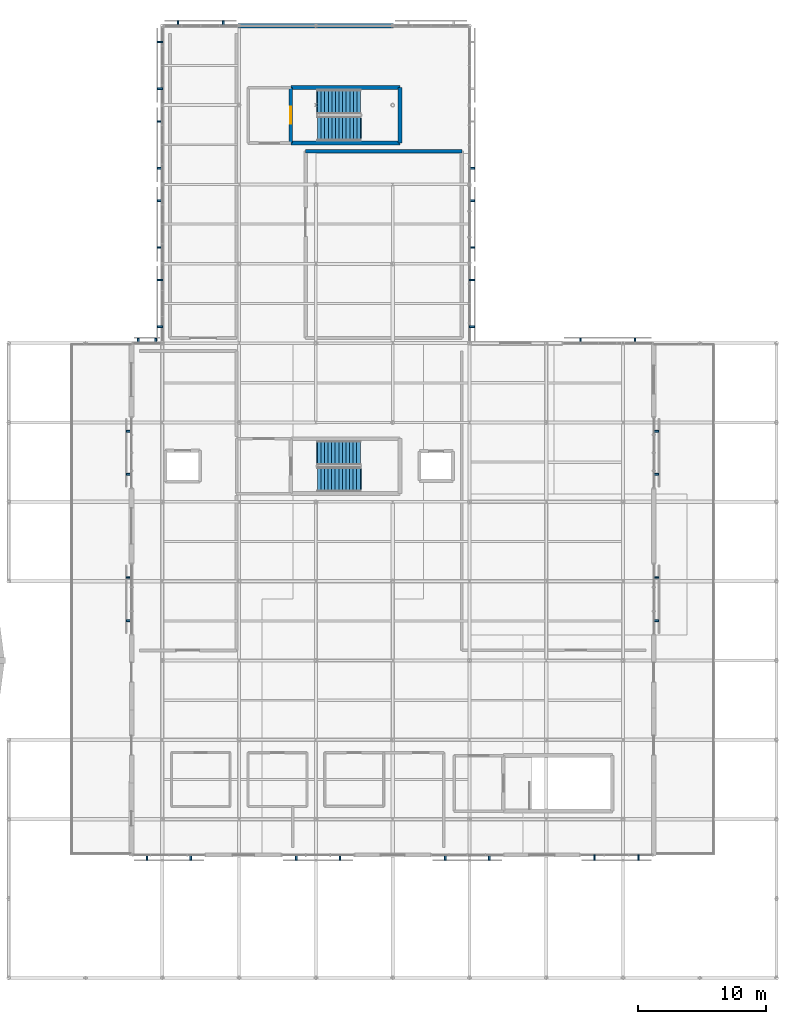
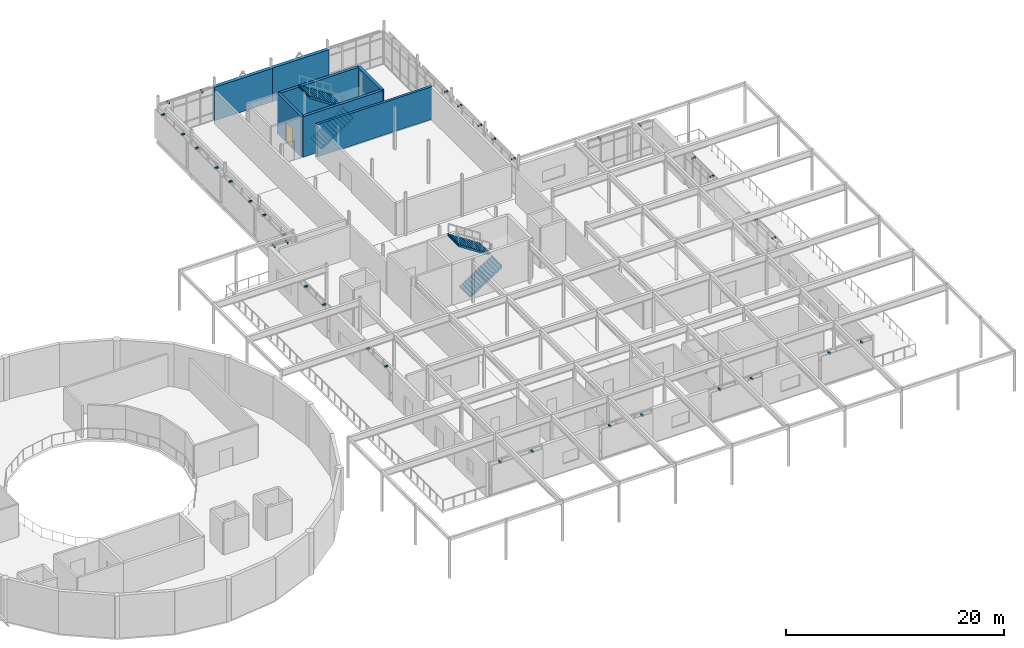
# One storey, part 43 of 48: 35 discrete accessories, 7 walls, 4 stair flights, 1 door, 1 opening, 2 elements without a shape of their own.
"""IFC4 building model written with IfcOpenShell, lengths in metres."""

from ifc_helpers import new_model, si_unit, direction, frame, frame_2d, origin, origin_2d, place, context, subcontext, project, spatial, polyline, rectangle, outline, extrude, material, layer, layer_set, type_object, element, fill, aggregate, save


model = new_model("IFC4")

# Units and contexts
model_context = context("Model", 3, precision=1e-05, world=origin(), true_north=direction((0.0, 1.0)))
body_context = subcontext(model_context, "Body", "Model", "MODEL_VIEW")
ifc_project = project(units=[si_unit("LENGTHUNIT", "METRE"), si_unit("AREAUNIT", "SQUARE_METRE"), si_unit("VOLUMEUNIT", "CUBIC_METRE"), si_unit("PLANEANGLEUNIT", "RADIAN"), si_unit("MASSUNIT", "GRAM", prefix="KILO")], contexts=[model_context])

# Site, building, storey
site_placement = place(None, origin())
site = spatial("IfcSite", under=ifc_project, at=site_placement, CompositionType="ELEMENT")
building_placement = place(site_placement, origin())
building = spatial("IfcBuilding", under=site, at=building_placement, Name="Mirzam Square Science Centre", CompositionType="ELEMENT")
storey_placement = place(building_placement, frame((0.0, 0.0, 20.39990234375)))
storey = spatial("IfcBuildingStorey", under=building, at=storey_placement, Name="L04", CompositionType="ELEMENT", Elevation=20.39990234375)

# Walls
ifc_material_1 = material(Name="Concrete C45/55", Category="concrete")
ifc_layer_1 = layer(ifc_material_1, 0.300048828125)
ifc_layer_set_1 = layer_set([ifc_layer_1], Name="W-CORE-300")
wall_type_1 = type_object("IfcWallType", Name="W-CORE-300", PredefinedType="SHEAR", material=ifc_layer_set_1)
for number, where, z_axis, x_axis, name in (
    (1, (124.0400390625, 102.43994140625, 0.0), (0.0, 0.0, 1.0), (1.0, 0.0, 0.0), "L04 CORE-7 south wall"),
    (2, (132.56005859375, 106.77001953125, 0.0), (0.0, 0.0, 1.0), (-1.0, 0.0, 0.0), "L04 CORE-7 north wall"),
):
    element("IfcWall", number, at=place(storey_placement, frame(where, z_axis=z_axis, x_axis=x_axis)), inside=storey, type_object=wall_type_1, Name=name, PredefinedType="SHEAR", context=body_context, shape_type="SweptSolid", body=[
        extrude(rectangle(XDim=8.52001953125, YDim=0.300048828125, at=frame_2d((4.260009765625, 0.0))), origin(), (0.0, 0.0, 1.0), 4.550048828125),
    ])

# Wall, opening, door
wall_1_placement = place(storey_placement, frame((124.0400390625, 106.77001953125, 0.0), z_axis=(0.0, 0.0, 1.0), x_axis=(0.0, -1.0, 0.0)))
wall_1 = element("IfcWall", 3, at=wall_1_placement, inside=storey, type_object=wall_type_1, Name="L04 CORE-7 west wall", PredefinedType="SHEAR", context=body_context, shape_type="SweptSolid", body=[
    extrude(rectangle(XDim=4.330078125, YDim=0.300048828125, at=frame_2d((2.1650390625, 0.0))), origin(), (0.0, 0.0, 1.0), 4.550048828125),
])
opening_placement = place(wall_1_placement, frame((1.489990234375, 0.0, 0.0)))
opening = element("IfcOpeningElement", 4, at=opening_placement, cuts=wall_1, Name="Opening DS-01", PredefinedType="OPENING", context=body_context, shape_type="SweptSolid", body=[
    extrude(rectangle(XDim=1.35009765625, YDim=2.199951171875, at=frame_2d((0.675048828125, 1.10009765625))), frame((0.0, 0.159912109375, 0.0), z_axis=(0.0, -1.0, 0.0), x_axis=(1.0, 0.0, 0.0)), (0.0, 0.0, 1.0), 0.320068359375),
])
ifc_material_2 = material(Name="Fire-Rated Powder-Coated Architectural Steel Door", Category="steel")
door_type = type_object("IfcDoorType", Name="DR-STAIR-1350x2200", OperationType="NOTDEFINED", PredefinedType="DOOR", material=ifc_material_2)
door_placement = place(opening_placement, origin())
door = element("IfcDoor", 5, at=door_placement, inside=storey, type_object=door_type, Name="DRS-7-L04", OperationType="SINGLE_SWING_LEFT", OverallHeight=2.199951171875, OverallWidth=1.35009765625, PredefinedType="DOOR", context=body_context, shape_type="SweptSolid", body=[
    extrude(rectangle(XDim=1.35009765625, YDim=2.199951171875, at=frame_2d((0.675048828125, 1.10009765625))), frame((0.0, 0.02490234375, 0.0), z_axis=(0.0, -1.0, 0.0), x_axis=(1.0, 0.0, 0.0)), (0.0, 0.0, 1.0), 0.050048828125),
])
fill(opening, door)

# Walls
wall_2_placement = place(storey_placement, frame((132.56005859375, 102.43994140625, 0.0), z_axis=(0.0, 0.0, 1.0), x_axis=(0.0, 1.0, 0.0)))
element("IfcWall", 6, at=wall_2_placement, inside=storey, type_object=wall_type_1, Name="L04 CORE-7 east wall", PredefinedType="SHEAR", context=body_context, shape_type="SweptSolid", body=[
    extrude(rectangle(XDim=4.330078125, YDim=0.300048828125, at=frame_2d((2.1650390625, 0.0))), origin(), (0.0, 0.0, 1.0), 4.550048828125),
])
ifc_material_3 = material(Name="Standing-Seam Zinc-Clad Concrete Backup C40/50", Category="concrete")
ifc_layer_2 = layer(ifc_material_3, 0.35009765625)
ifc_layer_set_2 = layer_set([ifc_layer_2], Name="W-EXT-METAL-350")
wall_type_2 = type_object("IfcWallType", Name="W-EXT-METAL-350", PredefinedType="SOLIDWALL", material=ifc_layer_set_2)
for number, where, z_axis, x_axis, name in (
    (7, (126.074951171875, 111.60009765625, 0.0), (0.0, 0.0, 1.0), (-1.0, 0.0, 0.0), "L04 external wall EW-NEP-N-L04-21"),
    (8, (132.074951171875, 111.60009765625, 0.0), (0.0, 0.0, 1.0), (-1.0, 0.0, 0.0), "L04 external wall EW-NEP-N-L04-22"),
):
    element("IfcWall", number, at=place(storey_placement, frame(where, z_axis=z_axis, x_axis=x_axis)), inside=storey, type_object=wall_type_2, Name=name, PredefinedType="SOLIDWALL", context=body_context, shape_type="SweptSolid", body=[
        extrude(rectangle(XDim=6.14990234375, YDim=0.35009765625, at=frame_2d((3.074951171875, 0.0))), origin(), (0.0, 0.0, 1.0), 3.760009765625),
    ])
ifc_material_4 = material(Name="Theatre Acoustic Isolation Wall Concrete C35/45", Category="concrete")
ifc_layer_3 = layer(ifc_material_4, 0.260009765625)
ifc_layer_set_3 = layer_set([ifc_layer_3], Name="W-PART-260")
wall_type_3 = type_object("IfcWallType", Name="W-PART-260", PredefinedType="PARTITIONING", material=ifc_layer_set_3)
wall_3_placement = place(storey_placement, frame((125.199951171875, 101.800048828125, 0.0), z_axis=(0.0, 0.0, 1.0), x_axis=(1.0, 0.0, 0.0)))
element("IfcWall", 9, at=wall_3_placement, inside=storey, type_object=wall_type_3, Name="L04 Astrophysics Digital Periodicals Archive partition 297", PredefinedType="PARTITIONING", context=body_context, shape_type="SweptSolid", body=[
    extrude(rectangle(XDim=12.199951171875, YDim=0.260009765625, at=frame_2d((6.10009765625, 0.0))), origin(), (0.0, 0.0, 1.0), 3.650146484375),
])

# Stair, stair flights
ifc_material_5 = material(Name="Concrete C40/50", Category="concrete")
stair_type_1 = type_object("IfcStairType", Name="ST-CORE-4-480", PredefinedType="HALF_TURN_STAIR", material=ifc_material_5)
stair_1_placement = place(storey_placement, origin())
stair_1 = element("IfcStair", 10, at=stair_1_placement, inside=storey, type_object=stair_type_1, Name="L04 ST-04", PredefinedType="HALF_TURN_STAIR")
stair_flight_type_1 = type_object("IfcStairFlightType", Name="STF-CORE-4-26R", PredefinedType="STRAIGHT", material=ifc_material_5)
stair_flight_1_placement = place(storey_placement, frame((126.110107421875, 76.155029296875, 0.0), z_axis=(0.0, 0.0, 1.0), x_axis=(1.0, 0.0, 0.0)))
stair_flight_1 = element("IfcStairFlight", 11, at=stair_flight_1_placement, type_object=stair_flight_type_1, Name="ST-04 flight 1", NumberOfRisers=13, NumberOfTreads=12, PredefinedType="STRAIGHT", RiserHeight=0.184615385, TreadLength=0.28, context=body_context, shape_type="SweptSolid", body=[
    extrude(outline(polyline([(0.0, 0.0), (0.0, 0.1845703125), (0.280029296875, 0.1845703125), (0.280029296875, 0.369140625), (0.56005859375, 0.369140625), (0.56005859375, 0.553955078125), (0.840087890625, 0.553955078125), (0.840087890625, 0.738525390625), (1.1201171875, 0.738525390625), (1.1201171875, 0.923095703125), (1.39990234375, 0.923095703125), (1.39990234375, 1.107666015625), (1.679931640625, 1.107666015625), (1.679931640625, 1.292236328125), (1.9599609375, 1.292236328125), (1.9599609375, 1.476806640625), (2.239990234375, 1.476806640625), (2.239990234375, 1.66162109375), (2.52001953125, 1.66162109375), (2.52001953125, 1.84619140625), (2.800048828125, 1.84619140625), (2.800048828125, 2.03076171875), (3.080078125, 2.03076171875), (3.080078125, 2.21533203125), (3.360107421875, 2.21533203125), (3.360107421875, 2.39990234375), (3.43994140625, 2.39990234375), (3.43994140625, 2.25), (3.360107421875, 2.035888671875), (0.272216796875, 0.0), (0.0, 0.0)])), frame((0.0, 0.955078125, 0.0), z_axis=(0.0, -1.0, 0.0), x_axis=(1.0, 0.0, 0.0)), (0.0, 0.0, 1.0), 1.909912109375),
])
stair_flight_2_placement = place(storey_placement, frame((129.469970703125, 78.215087890625, 2.400146484375), z_axis=(0.0, 0.0, 1.0), x_axis=(-1.0, 0.0, 0.0)))
stair_flight_2 = element("IfcStairFlight", 12, at=stair_flight_2_placement, type_object=stair_flight_type_1, Name="ST-04 flight 2", NumberOfRisers=13, NumberOfTreads=12, PredefinedType="STRAIGHT", RiserHeight=0.184615385, TreadLength=0.28, context=body_context, shape_type="SweptSolid", body=[
    extrude(outline(polyline([(0.0, 0.0), (0.0, 0.1845703125), (0.280029296875, 0.1845703125), (0.280029296875, 0.369140625), (0.56005859375, 0.369140625), (0.56005859375, 0.553955078125), (0.840087890625, 0.553955078125), (0.840087890625, 0.738525390625), (1.1201171875, 0.738525390625), (1.1201171875, 0.923095703125), (1.39990234375, 0.923095703125), (1.39990234375, 1.107666015625), (1.679931640625, 1.107666015625), (1.679931640625, 1.292236328125), (1.9599609375, 1.292236328125), (1.9599609375, 1.476806640625), (2.239990234375, 1.476806640625), (2.239990234375, 1.66162109375), (2.52001953125, 1.66162109375), (2.52001953125, 1.84619140625), (2.800048828125, 1.84619140625), (2.800048828125, 2.03076171875), (3.080078125, 2.03076171875), (3.080078125, 2.21533203125), (3.360107421875, 2.21533203125), (3.360107421875, 2.39990234375), (3.43994140625, 2.39990234375), (3.43994140625, 2.25), (3.360107421875, 2.035888671875), (0.272216796875, 0.0), (0.0, 0.0)])), frame((0.0, 0.955078125, 0.0), z_axis=(0.0, -1.0, 0.0), x_axis=(1.0, 0.0, 0.0)), (0.0, 0.0, 1.0), 1.909912109375),
])
aggregate(stair_1, [stair_flight_1, stair_flight_2])

stair_type_2 = type_object("IfcStairType", Name="ST-CORE-7-480", PredefinedType="HALF_TURN_STAIR", material=ifc_material_5)
stair_2_placement = place(storey_placement, origin())
stair_2 = element("IfcStair", 13, at=stair_2_placement, inside=storey, type_object=stair_type_2, Name="L04 ST-11", PredefinedType="HALF_TURN_STAIR")
stair_flight_type_2 = type_object("IfcStairFlightType", Name="STF-CORE-7-26R", PredefinedType="STRAIGHT", material=ifc_material_5)
stair_flight_3_placement = place(storey_placement, frame((126.1298828125, 103.56494140625, 0.0), z_axis=(0.0, 0.0, 1.0), x_axis=(1.0, 0.0, 0.0)))
stair_flight_3 = element("IfcStairFlight", 14, at=stair_flight_3_placement, type_object=stair_flight_type_2, Name="ST-11 flight 1", NumberOfRisers=13, NumberOfTreads=12, PredefinedType="STRAIGHT", RiserHeight=0.184615385, TreadLength=0.28, context=body_context, shape_type="SweptSolid", body=[
    extrude(outline(polyline([(0.0, 0.0), (0.0, 0.1845703125), (0.280029296875, 0.1845703125), (0.280029296875, 0.369140625), (0.56005859375, 0.369140625), (0.56005859375, 0.553955078125), (0.840087890625, 0.553955078125), (0.840087890625, 0.738525390625), (1.1201171875, 0.738525390625), (1.1201171875, 0.923095703125), (1.39990234375, 0.923095703125), (1.39990234375, 1.107666015625), (1.679931640625, 1.107666015625), (1.679931640625, 1.292236328125), (1.9599609375, 1.292236328125), (1.9599609375, 1.476806640625), (2.239990234375, 1.476806640625), (2.239990234375, 1.66162109375), (2.52001953125, 1.66162109375), (2.52001953125, 1.84619140625), (2.800048828125, 1.84619140625), (2.800048828125, 2.03076171875), (3.080078125, 2.03076171875), (3.080078125, 2.21533203125), (3.360107421875, 2.21533203125), (3.360107421875, 2.39990234375), (3.43994140625, 2.39990234375), (3.43994140625, 2.25), (3.360107421875, 2.035888671875), (0.272216796875, 0.0), (0.0, 0.0)])), frame((0.0, 0.96484375, 0.0), z_axis=(0.0, -1.0, 0.0), x_axis=(1.0, 0.0, 0.0)), (0.0, 0.0, 1.0), 1.929931640625),
])
stair_flight_4_placement = place(storey_placement, frame((129.489990234375, 105.64501953125, 2.400146484375), z_axis=(0.0, 0.0, 1.0), x_axis=(-1.0, 0.0, 0.0)))
stair_flight_4 = element("IfcStairFlight", 15, at=stair_flight_4_placement, type_object=stair_flight_type_2, Name="ST-11 flight 2", NumberOfRisers=13, NumberOfTreads=12, PredefinedType="STRAIGHT", RiserHeight=0.184615385, TreadLength=0.28, context=body_context, shape_type="SweptSolid", body=[
    extrude(outline(polyline([(0.0, 0.0), (0.0, 0.1845703125), (0.280029296875, 0.1845703125), (0.280029296875, 0.369140625), (0.56005859375, 0.369140625), (0.56005859375, 0.553955078125), (0.840087890625, 0.553955078125), (0.840087890625, 0.738525390625), (1.1201171875, 0.738525390625), (1.1201171875, 0.923095703125), (1.39990234375, 0.923095703125), (1.39990234375, 1.107666015625), (1.679931640625, 1.107666015625), (1.679931640625, 1.292236328125), (1.9599609375, 1.292236328125), (1.9599609375, 1.476806640625), (2.239990234375, 1.476806640625), (2.239990234375, 1.66162109375), (2.52001953125, 1.66162109375), (2.52001953125, 1.84619140625), (2.800048828125, 1.84619140625), (2.800048828125, 2.03076171875), (3.080078125, 2.03076171875), (3.080078125, 2.21533203125), (3.360107421875, 2.21533203125), (3.360107421875, 2.39990234375), (3.43994140625, 2.39990234375), (3.43994140625, 2.25), (3.360107421875, 2.035888671875), (0.272216796875, 0.0), (0.0, 0.0)])), frame((0.0, 0.96484375, 0.0), z_axis=(0.0, -1.0, 0.0), x_axis=(1.0, 0.0, 0.0)), (0.0, 0.0, 1.0), 1.929931640625),
])
aggregate(stair_2, [stair_flight_3, stair_flight_4])

# Discrete accessories
ifc_material_6 = material(Name="Steel S355", Category="steel")
discrete_accessory_type = type_object("IfcDiscreteAccessoryType", Name="BRK-BRISE-STEEL", PredefinedType="BRACKET", material=ifc_material_6)
for number, where, z_axis, x_axis, name in (
    (16, (112.798583984375, 46.610107421875, 3.419921875), (0.0, 0.0, 1.0), (1.0, 0.0, 0.0), "L04 brise-soleil support bracket 136"),
    (17, (116.22998046875, 46.610107421875, 3.419921875), (0.0, 0.0, 1.0), (1.0, 0.0, 0.0), "L04 brise-soleil support bracket 136"),
    (18, (124.455810546875, 46.610107421875, 3.419921875), (0.0, 0.0, 1.0), (1.0, 0.0, 0.0), "L04 brise-soleil support bracket 137"),
    (19, (127.886962890625, 46.610107421875, 3.419921875), (0.0, 0.0, 1.0), (1.0, 0.0, 0.0), "L04 brise-soleil support bracket 137"),
    (20, (136.113037109375, 46.610107421875, 3.419921875), (0.0, 0.0, 1.0), (1.0, 0.0, 0.0), "L04 brise-soleil support bracket 138"),
    (21, (139.544189453125, 46.610107421875, 3.419921875), (0.0, 0.0, 1.0), (1.0, 0.0, 0.0), "L04 brise-soleil support bracket 138"),
    (22, (147.77001953125, 46.610107421875, 3.419921875), (0.0, 0.0, 1.0), (1.0, 0.0, 0.0), "L04 brise-soleil support bracket 139"),
    (23, (151.201416015625, 46.610107421875, 3.419921875), (0.0, 0.0, 1.0), (1.0, 0.0, 0.0), "L04 brise-soleil support bracket 139"),
    (24, (152.590087890625, 65.11865234375, 3.419921875), (0.0, 0.0, 1.0), (0.0, 1.0, 0.0), "L04 brise-soleil support bracket 140"),
    (25, (152.590087890625, 68.481201171875, 3.419921875), (0.0, 0.0, 1.0), (0.0, 1.0, 0.0), "L04 brise-soleil support bracket 140"),
    (26, (152.590087890625, 76.54736328125, 3.419921875), (0.0, 0.0, 1.0), (0.0, 1.0, 0.0), "L04 brise-soleil support bracket 141"),
    (27, (152.590087890625, 79.909912109375, 3.419921875), (0.0, 0.0, 1.0), (0.0, 1.0, 0.0), "L04 brise-soleil support bracket 141"),
    (28, (150.927001953125, 86.989990234375, 3.419921875), (0.0, 0.0, 1.0), (-1.0, 0.0, 0.0), "L04 brise-soleil support bracket 142"),
    (29, (146.673095703125, 86.989990234375, 3.419921875), (0.0, 0.0, 1.0), (-1.0, 0.0, 0.0), "L04 brise-soleil support bracket 142"),
    (30, (113.487060546875, 86.989990234375, 3.419921875), (0.0, 0.0, 1.0), (-1.0, 0.0, 0.0), "L04 brise-soleil support bracket 143"),
    (31, (112.113037109375, 86.989990234375, 3.419921875), (0.0, 0.0, 1.0), (-1.0, 0.0, 0.0), "L04 brise-soleil support bracket 143"),
    (32, (111.409912109375, 79.909912109375, 3.419921875), (0.0, 0.0, 1.0), (0.0, -1.0, 0.0), "L04 brise-soleil support bracket 144"),
    (33, (111.409912109375, 76.54736328125, 3.419921875), (0.0, 0.0, 1.0), (0.0, -1.0, 0.0), "L04 brise-soleil support bracket 144"),
    (34, (111.409912109375, 68.481201171875, 3.419921875), (0.0, 0.0, 1.0), (0.0, -1.0, 0.0), "L04 brise-soleil support bracket 145"),
    (35, (111.409912109375, 65.11865234375, 3.419921875), (0.0, 0.0, 1.0), (0.0, -1.0, 0.0), "L04 brise-soleil support bracket 145"),
    (36, (118.76708984375, 111.7900390625, 3.419921875), (0.0, 0.0, 1.0), (-1.0, 0.0, 0.0), "L04 brise-soleil support bracket 146"),
    (37, (115.23291015625, 111.7900390625, 3.419921875), (0.0, 0.0, 1.0), (-1.0, 0.0, 0.0), "L04 brise-soleil support bracket 146"),
    (38, (113.81005859375, 91.72705078125, 3.419921875), (0.0, 0.0, 1.0), (0.0, -1.0, 0.0), "L04 brise-soleil support bracket 148"),
    (39, (113.81005859375, 88.072998046875, 3.419921875), (0.0, 0.0, 1.0), (0.0, -1.0, 0.0), "L04 brise-soleil support bracket 148"),
    (40, (138.18994140625, 88.072998046875, 3.419921875), (0.0, 0.0, 1.0), (0.0, 1.0, 0.0), "L04 brise-soleil support bracket 149"),
    (41, (138.18994140625, 91.72705078125, 3.419921875), (0.0, 0.0, 1.0), (0.0, 1.0, 0.0), "L04 brise-soleil support bracket 149"),
    (42, (113.81005859375, 97.927001953125, 3.419921875), (0.0, 0.0, 1.0), (0.0, -1.0, 0.0), "L04 brise-soleil support bracket 150"),
    (43, (113.81005859375, 94.27294921875, 3.419921875), (0.0, 0.0, 1.0), (0.0, -1.0, 0.0), "L04 brise-soleil support bracket 150"),
    (44, (138.18994140625, 94.27294921875, 3.419921875), (0.0, 0.0, 1.0), (0.0, 1.0, 0.0), "L04 brise-soleil support bracket 151"),
    (45, (138.18994140625, 97.927001953125, 3.419921875), (0.0, 0.0, 1.0), (0.0, 1.0, 0.0), "L04 brise-soleil support bracket 151"),
    (46, (113.81005859375, 104.126953125, 3.419921875), (0.0, 0.0, 1.0), (0.0, -1.0, 0.0), "L04 brise-soleil support bracket 152"),
    (47, (113.81005859375, 100.472900390625, 3.419921875), (0.0, 0.0, 1.0), (0.0, -1.0, 0.0), "L04 brise-soleil support bracket 152"),
    (48, (138.18994140625, 100.472900390625, 3.419921875), (0.0, 0.0, 1.0), (0.0, 1.0, 0.0), "L04 brise-soleil support bracket 153"),
    (49, (113.81005859375, 110.326904296875, 3.419921875), (0.0, 0.0, 1.0), (0.0, -1.0, 0.0), "L04 brise-soleil support bracket 154"),
    (50, (113.81005859375, 106.673095703125, 3.419921875), (0.0, 0.0, 1.0), (0.0, -1.0, 0.0), "L04 brise-soleil support bracket 154"),
):
    element("IfcDiscreteAccessory", number, at=place(storey_placement, frame(where, z_axis=z_axis, x_axis=x_axis)), inside=storey, type_object=discrete_accessory_type, Name=name, PredefinedType="BRACKET", context=body_context, shape_type="SweptSolid", body=[
        extrude(rectangle(XDim=0.139892578125, YDim=0.419921875, at=origin_2d()), origin(), (0.0, 0.0, 1.0), 0.179931640625),
    ])

save(model, "model.ifc")
